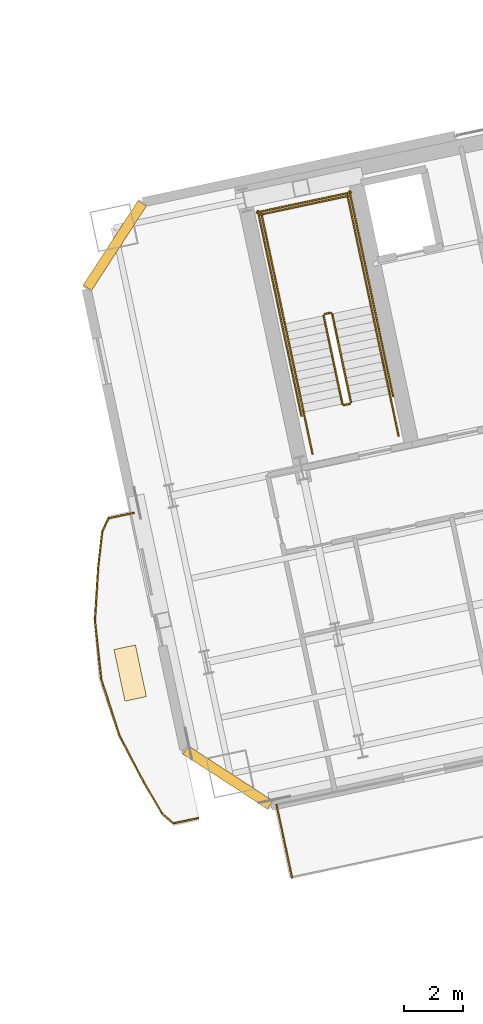
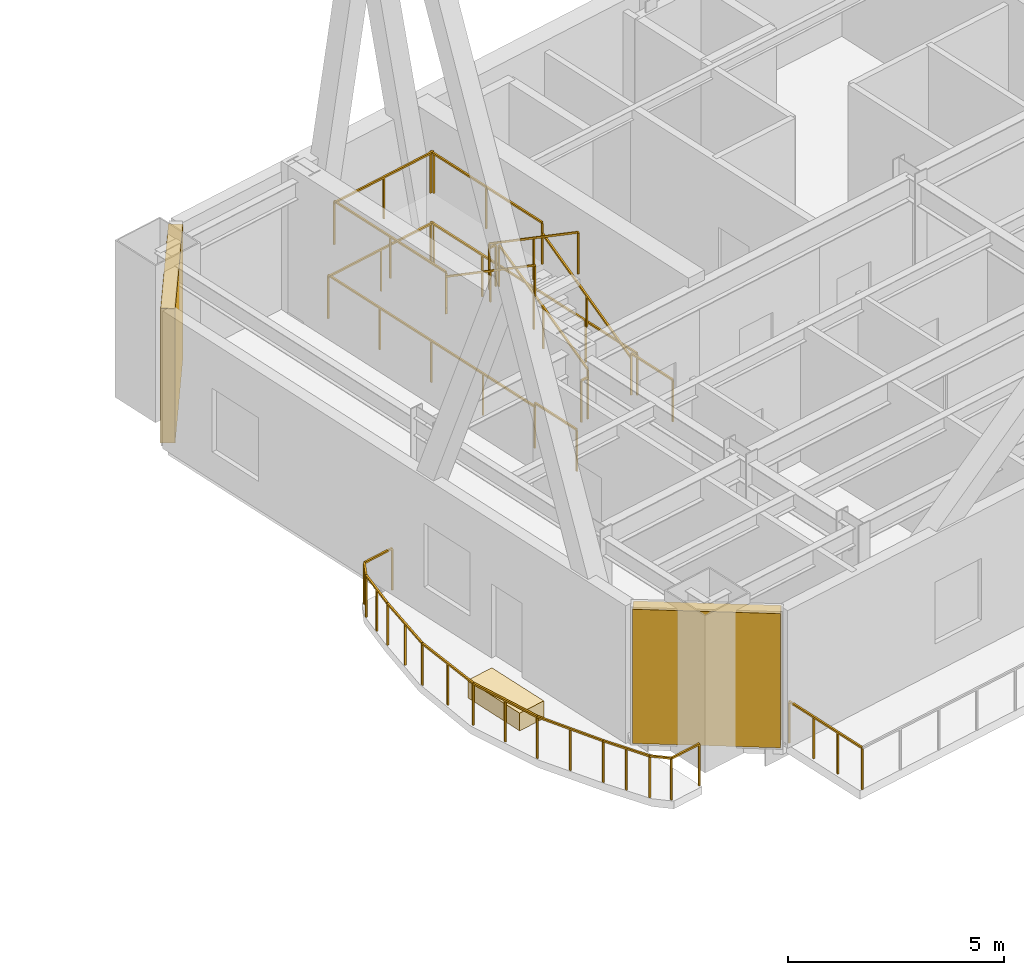
# One storey, part 20 of 22: 25 railings, 2 shading devices, 1 covering.
"""IFC4 building model written with IfcOpenShell, lengths in metres."""

import ifcopenshell
import ifcopenshell.guid

model = None  # the IFC model being written
_history = None  # IfcOwnerHistory: only IFC2X3 demands one
_inside = {}  # id of a spatial element -> (the spatial element, [elements in it])
_under = {}  # id of a project, library or spatial element -> (it, [spatial elements below it])
_declared = {}  # id of a project -> (the project, [libraries it declares])
_typed = {}  # id of a type object -> (the type object, [elements of that type])
_made_of = {}  # id of a material, layer set ... -> (it, [elements and type objects made of it])


def new_model(schema):
    """Start an empty IFC model of exactly this schema.

    Asked for "IFC4X3", IfcOpenShell would pick the latest addendum, in which some entities
    have other attributes; the version numbers below select the first issue.
    IFC2X3 requires an IfcOwnerHistory on every rooted entity: one is made here for all.
    """
    global model, _history
    if schema == "IFC4X3":
        model = ifcopenshell.file(schema_version=(4, 3, 0, 0))
    else:
        model = ifcopenshell.file(schema=schema)
    _inside.clear()
    _under.clear()
    _declared.clear()
    _typed.clear()
    _made_of.clear()
    _history = None
    if model.schema == "IFC2X3":
        org = make("IfcOrganization", Name="unknown")
        user = make(
            "IfcPersonAndOrganization",
            ThePerson=make("IfcPerson", FamilyName="unknown"),
            TheOrganization=org,
        )
        app = make(
            "IfcApplication",
            ApplicationDeveloper=org,
            Version="unknown",
            ApplicationFullName="unknown",
            ApplicationIdentifier="unknown",
        )
        _history = make(
            "IfcOwnerHistory",
            OwningUser=user,
            OwningApplication=app,
            ChangeAction="ADDED",
            CreationDate=0,
        )
    return model


def make(cls, **values):
    """One entity of the class cls with the attributes given. An attribute that is None is left unset."""
    return model.create_entity(
        cls, **{name: value for name, value in values.items() if value is not None}
    )


def rooted(cls, **values):
    """An entity with a GlobalId (a new one), such as an element, a storey or a relation."""
    return make(cls, GlobalId=ifcopenshell.guid.new(), OwnerHistory=_history, **values)


def si_unit(unit_type, name, prefix=None):
    """IfcSIUnit, for example si_unit("LENGTHUNIT", "METRE", prefix="MILLI")."""
    return make("IfcSIUnit", UnitType=unit_type, Prefix=prefix, Name=name)


def assignment(units):
    """IfcUnitAssignment: the units of a project."""
    return None if units is None else make("IfcUnitAssignment", Units=units)


def point(xyz):
    """IfcCartesianPoint."""
    return None if xyz is None else make("IfcCartesianPoint", Coordinates=xyz)


def direction(xyz):
    """IfcDirection."""
    return None if xyz is None else make("IfcDirection", DirectionRatios=xyz)


def frame(location, z_axis=None, x_axis=None):
    """IfcAxis2Placement3D, a coordinate frame: its origin and axes. An axis left out is left unset."""
    return make(
        "IfcAxis2Placement3D",
        Location=point(location),
        Axis=direction(z_axis),
        RefDirection=direction(x_axis),
    )


def frame_2d(location, x_axis=None):
    """IfcAxis2Placement2D, a coordinate frame in the plane: its origin and x axis."""
    return make(
        "IfcAxis2Placement2D", Location=point(location), RefDirection=direction(x_axis)
    )


def origin():
    """The frame at (0, 0, 0) with its axes left unset."""
    return frame((0.0, 0.0, 0.0))


def origin_2d():
    """The frame at (0, 0) in the plane with its x axis left unset."""
    return frame_2d((0.0, 0.0))


def place(relative_to, where):
    """IfcLocalPlacement: puts the frame where relative to a parent placement (None: the world)."""
    return make(
        "IfcLocalPlacement", PlacementRelTo=relative_to, RelativePlacement=where
    )


def context(
    kind, dimensions, precision=None, world=None, true_north=None, identifier=None
):
    """IfcGeometricRepresentationContext, for example the 3D "Model" context."""
    return make(
        "IfcGeometricRepresentationContext",
        ContextIdentifier=identifier,
        ContextType=kind,
        CoordinateSpaceDimension=dimensions,
        Precision=precision,
        WorldCoordinateSystem=world,
        TrueNorth=true_north,
    )


def subcontext(parent, identifier, kind, view, scale=None):
    """IfcGeometricRepresentationSubContext, for example "Body" below "Model"."""
    return make(
        "IfcGeometricRepresentationSubContext",
        ContextIdentifier=identifier,
        ContextType=kind,
        ParentContext=parent,
        TargetScale=scale,
        TargetView=view,
    )


def project(units=None, contexts=None):
    """IfcProject with its units and contexts."""
    return rooted(
        "IfcProject",
        Name="project",
        RepresentationContexts=contexts,
        UnitsInContext=assignment(units),
    )


def spatial(cls, under=None, at=None, **own):
    """A site, building, storey or space (cls), placed at a placement, below another one or the project."""
    s = rooted(cls, ObjectPlacement=at, **own)
    if under is not None:
        _under.setdefault(under.id(), (under, []))[1].append(s)
    return s


def profile(cls, at=None, kind="AREA", **sizes):
    """A parametric profile (cls). Its sizes go by their IFC names, for example OverallWidth=200.0."""
    return make(cls, ProfileType=kind, Position=at, **sizes)


def rectangle(**sizes):
    """IfcRectangleProfileDef."""
    return profile("IfcRectangleProfileDef", **sizes)


def extrude(swept, where, along, depth):
    """IfcExtrudedAreaSolid: the profile swept, set in the frame where, extruded along a direction by depth."""
    return make(
        "IfcExtrudedAreaSolid",
        SweptArea=swept,
        Position=where,
        ExtrudedDirection=direction(along),
        Depth=depth,
    )


def shape(context_of_items, identifier, shape_type, items):
    """IfcShapeRepresentation: the items that make up one representation, for example the "Body"."""
    return make(
        "IfcShapeRepresentation",
        ContextOfItems=context_of_items,
        RepresentationIdentifier=identifier,
        RepresentationType=shape_type,
        Items=items,
    )


def material(Name=None, Category=None):
    """IfcMaterial."""
    return make("IfcMaterial", Name=Name, Category=Category)


def layer(
    of_material, thickness, ventilated=None, Name=None, Category=None, Priority=None
):
    """IfcMaterialLayer: one layer of a wall or slab, of a material (None: an air gap)."""
    return make(
        "IfcMaterialLayer",
        Material=of_material,
        LayerThickness=thickness,
        IsVentilated=ventilated,
        Name=Name,
        Category=Category,
        Priority=Priority,
    )


def layer_set(layers, Name=None):
    """IfcMaterialLayerSet."""
    return make("IfcMaterialLayerSet", MaterialLayers=layers, LayerSetName=Name)


def made_of(thing, what):
    """Note that an element or type object is made of a material, layer set ...; save() writes the relation."""
    if what is not None:
        _made_of.setdefault(what.id(), (what, []))[1].append(thing)
    return thing


def type_object(cls, material=None, **own):
    """A type object (cls), such as IfcWallType, which elements share."""
    return made_of(rooted(cls, **own), material)


def element(
    cls,
    number,
    at=None,
    inside=None,
    cuts=None,
    type_object=None,
    material=None,
    context=None,
    identifier="Body",
    shape_type=None,
    held_by="IfcProductDefinitionShape",
    body=None,
    shapes=None,
    **own,
):
    """One element of the class cls, such as IfcWall. Its Tag is "e" and its number.

    at: its placement. inside: the storey or other place that contains it. cuts: it is an
    opening in that element (IfcRelVoidsElement). A single representation is given by context,
    identifier, shape_type and body (its items); several are given by shapes. held_by: the class
    of the entity that holds the representations. save() writes the other relations.
    """
    e = rooted(cls, Tag="e%d" % number, ObjectPlacement=at, **own)
    if body is not None:
        shapes = [shape(context, identifier, shape_type, body)]
    if shapes is not None:
        e.Representation = make(held_by, Representations=shapes)
    if inside is not None:
        _inside.setdefault(inside.id(), (inside, []))[1].append(e)
    if cuts is not None:
        rooted(
            "IfcRelVoidsElement", RelatingBuildingElement=cuts, RelatedOpeningElement=e
        )
    if type_object is not None:
        _typed.setdefault(type_object.id(), (type_object, []))[1].append(e)
    return made_of(e, material)


def aggregate(whole, parts):
    """IfcRelAggregates: a whole, such as a stair, and the parts it consists of."""
    return rooted("IfcRelAggregates", RelatingObject=whole, RelatedObjects=parts)


def save(model, path):
    """Write the relations noted so far, then the file.

    IfcRelAggregates (storeys below a building ...), IfcRelContainedInSpatialStructure (elements
    in a storey), IfcRelDefinesByType, IfcRelAssociatesMaterial and IfcRelDeclares: one each for
    every whole, place, type object, material and project.
    """
    for whole, parts in _under.values():
        aggregate(whole, parts)
    for where, things in _inside.values():
        rooted(
            "IfcRelContainedInSpatialStructure",
            RelatedElements=things,
            RelatingStructure=where,
        )
    for kind, things in _typed.values():
        rooted("IfcRelDefinesByType", RelatedObjects=things, RelatingType=kind)
    for what, things in _made_of.values():
        rooted("IfcRelAssociatesMaterial", RelatedObjects=things, RelatingMaterial=what)
    for by, libraries in _declared.values():
        rooted("IfcRelDeclares", RelatingContext=by, RelatedDefinitions=libraries)
    model.write(path)


model = new_model("IFC4")

# Units and contexts
model_context = context("Model", 3, precision=1e-05, world=origin(), true_north=direction((0.0, 1.0)))
body_context = subcontext(model_context, "Body", "Model", "MODEL_VIEW")
ifc_project = project(units=[si_unit("LENGTHUNIT", "METRE"), si_unit("AREAUNIT", "SQUARE_METRE"), si_unit("VOLUMEUNIT", "CUBIC_METRE"), si_unit("PLANEANGLEUNIT", "RADIAN"), si_unit("MASSUNIT", "GRAM", prefix="KILO")], contexts=[model_context])

# Site, building, storey
site_placement = place(None, origin())
site = spatial("IfcSite", under=ifc_project, at=site_placement, CompositionType="ELEMENT")
building_placement = place(site_placement, origin())
building = spatial("IfcBuilding", under=site, at=building_placement, Name="Haevon Station Towers", CompositionType="ELEMENT")
storey_placement = place(building_placement, frame((0.0, 0.0, 133.800048828125)))
storey = spatial("IfcBuildingStorey", under=building, at=storey_placement, Name="L36", CompositionType="ELEMENT", Elevation=133.800048828125)

# Railings
ifc_material_1 = material(Name="Steel S355", Category="steel")
railing_type_1 = type_object("IfcRailingType", Name="GRD-EXT1200", PredefinedType="GUARDRAIL", material=ifc_material_1)
railing_1_placement = place(storey_placement, frame((97.90234375, 25.9521484375, 0.0)))
element("IfcRailing", 1, at=railing_1_placement, inside=storey, type_object=railing_type_1, Name="L36 Perimeter Guardrail 3", PredefinedType="GUARDRAIL", context=body_context, shape_type="SweptSolid", body=[
    extrude(rectangle(XDim=0.048095703125, YDim=0.048095703125, at=origin_2d()), frame((0.0, 0.0, 1.17578125), z_axis=(0.207940691957, -0.978141435902, 0.0), x_axis=(0.978141435902, 0.207940691957, 0.0)), (0.0, 0.0, 1.0), 2.5302734375),
    extrude(rectangle(XDim=0.0419921875, YDim=0.0419921875, at=origin_2d()), origin(), (0.0, 0.0, 1.0), 1.15185546875),
    extrude(rectangle(XDim=0.0419921875, YDim=0.0419921875, at=origin_2d()), frame((0.17529296875, -0.824951171875, 0.0)), (0.0, 0.0, 1.0), 1.15185546875),
    extrude(rectangle(XDim=0.0419921875, YDim=0.0419921875, at=origin_2d()), frame((0.350830078125, -1.64990234375, 0.0)), (0.0, 0.0, 1.0), 1.15185546875),
    extrude(rectangle(XDim=0.0419921875, YDim=0.0419921875, at=origin_2d()), frame((0.526123046875, -2.474853515625, 0.0)), (0.0, 0.0, 1.0), 1.15185546875),
])
railing_2_placement = place(storey_placement, frame((93.021484375, 35.91455078125, 0.0)))
element("IfcRailing", 2, at=railing_2_placement, inside=storey, type_object=railing_type_1, Name="L36 Perimeter Guardrail 1", PredefinedType="GUARDRAIL", context=body_context, shape_type="SweptSolid", body=[
    extrude(rectangle(XDim=0.048095703125, YDim=0.048095703125, at=origin_2d()), frame((0.0, 0.0, 1.17578125), z_axis=(-0.977683060471, -0.210085299981, 0.0), x_axis=(0.210085299981, -0.977683060471, 0.0)), (0.0, 0.0, 1.0), 0.869140625),
    extrude(rectangle(XDim=0.0419921875, YDim=0.0419921875, at=origin_2d()), origin(), (0.0, 0.0, 1.0), 1.15185546875),
    extrude(rectangle(XDim=0.0419921875, YDim=0.0419921875, at=origin_2d()), frame((-0.849853515625, -0.1826171875, 0.0)), (0.0, 0.0, 1.0), 1.15185546875),
])
railing_3_placement = place(storey_placement, frame((92.171630859375, 35.73193359375, 0.0)))
element("IfcRailing", 3, at=railing_3_placement, inside=storey, type_object=railing_type_1, Name="L36 Perimeter Guardrail 2", PredefinedType="GUARDRAIL", context=body_context, shape_type="SweptSolid", body=[
    extrude(rectangle(XDim=0.048095703125, YDim=0.048095703125, at=origin_2d()), frame((0.0, 0.0, 1.17578125), z_axis=(-0.424336804867, -0.905504431814, 0.0), x_axis=(0.905504431814, -0.424336804867, 0.0)), (0.0, 0.0, 1.0), 0.515625),
    extrude(rectangle(XDim=0.0419921875, YDim=0.0419921875, at=origin_2d()), origin(), (0.0, 0.0, 1.0), 1.15185546875),
    extrude(rectangle(XDim=0.0419921875, YDim=0.0419921875, at=origin_2d()), frame((-0.21875, -0.466796875, 0.0)), (0.0, 0.0, 1.0), 1.15185546875),
])
railing_4_placement = place(storey_placement, frame((91.952880859375, 35.26513671875, 0.0)))
element("IfcRailing", 4, at=railing_4_placement, inside=storey, type_object=railing_type_1, Name="L36 Perimeter Guardrail 3", PredefinedType="GUARDRAIL", context=body_context, shape_type="SweptSolid", body=[
    extrude(rectangle(XDim=0.048095703125, YDim=0.048095703125, at=origin_2d()), frame((0.0, 0.0, 1.17578125), z_axis=(-0.111061630517, -0.993813520851, 0.0), x_axis=(0.993813520851, -0.111061630517, 0.0)), (0.0, 0.0, 1.0), 1.233154296875),
    extrude(rectangle(XDim=0.0419921875, YDim=0.0419921875, at=origin_2d()), origin(), (0.0, 0.0, 1.0), 1.15185546875),
    extrude(rectangle(XDim=0.0419921875, YDim=0.0419921875, at=origin_2d()), frame((-0.068359375, -0.61279296875, 0.0)), (0.0, 0.0, 1.0), 1.15185546875),
    extrude(rectangle(XDim=0.0419921875, YDim=0.0419921875, at=origin_2d()), frame((-0.136962890625, -1.2255859375, 0.0)), (0.0, 0.0, 1.0), 1.15185546875),
])
railing_5_placement = place(storey_placement, frame((91.81591796875, 34.03955078125, 0.0)))
element("IfcRailing", 5, at=railing_5_placement, inside=storey, type_object=railing_type_1, Name="L36 Perimeter Guardrail 4", PredefinedType="GUARDRAIL", context=body_context, shape_type="SweptSolid", body=[
    extrude(rectangle(XDim=0.048095703125, YDim=0.048095703125, at=origin_2d()), frame((0.0, 0.0, 1.17578125), z_axis=(-0.060230624472, -0.998184487896, 0.0), x_axis=(0.998184487896, -0.060230624472, 0.0)), (0.0, 0.0, 1.0), 1.811767578125),
    extrude(rectangle(XDim=0.0419921875, YDim=0.0419921875, at=origin_2d()), origin(), (0.0, 0.0, 1.0), 1.15185546875),
    extrude(rectangle(XDim=0.0419921875, YDim=0.0419921875, at=origin_2d()), frame((-0.0546875, -0.904296875, 0.0)), (0.0, 0.0, 1.0), 1.15185546875),
    extrude(rectangle(XDim=0.0419921875, YDim=0.0419921875, at=origin_2d()), frame((-0.109130859375, -1.80859375, 0.0)), (0.0, 0.0, 1.0), 1.15185546875),
])
railing_6_placement = place(storey_placement, frame((91.706787109375, 32.23095703125, 0.0)))
element("IfcRailing", 6, at=railing_6_placement, inside=storey, type_object=railing_type_1, Name="L36 Perimeter Guardrail 5", PredefinedType="GUARDRAIL", context=body_context, shape_type="SweptSolid", body=[
    extrude(rectangle(XDim=0.048095703125, YDim=0.048095703125, at=origin_2d()), frame((0.0, 0.0, 1.17578125), z_axis=(0.107406933296, -0.994215143055, 0.0), x_axis=(0.994215143055, 0.107406933296, 0.0)), (0.0, 0.0, 1.0), 2.00244140625),
    extrude(rectangle(XDim=0.0419921875, YDim=0.0419921875, at=origin_2d()), origin(), (0.0, 0.0, 1.0), 1.15185546875),
    extrude(rectangle(XDim=0.0419921875, YDim=0.0419921875, at=origin_2d()), frame((0.107421875, -0.99560546875, 0.0)), (0.0, 0.0, 1.0), 1.15185546875),
    extrude(rectangle(XDim=0.0419921875, YDim=0.0419921875, at=origin_2d()), frame((0.215087890625, -1.990966796875, 0.0)), (0.0, 0.0, 1.0), 1.15185546875),
])
railing_7_placement = place(storey_placement, frame((91.921875, 30.239990234375, 0.0)))
element("IfcRailing", 7, at=railing_7_placement, inside=storey, type_object=railing_type_1, Name="L36 Perimeter Guardrail 6", PredefinedType="GUARDRAIL", context=body_context, shape_type="SweptSolid", body=[
    extrude(rectangle(XDim=0.048095703125, YDim=0.048095703125, at=origin_2d()), frame((0.0, 0.0, 1.17578125), z_axis=(0.30622620624, -0.951958775689, 0.0), x_axis=(0.951958775689, 0.30622620624, 0.0)), (0.0, 0.0, 1.0), 2.002685546875),
    extrude(rectangle(XDim=0.0419921875, YDim=0.0419921875, at=origin_2d()), origin(), (0.0, 0.0, 1.0), 1.15185546875),
    extrude(rectangle(XDim=0.0419921875, YDim=0.0419921875, at=origin_2d()), frame((0.306640625, -0.953125, 0.0)), (0.0, 0.0, 1.0), 1.15185546875),
    extrude(rectangle(XDim=0.0419921875, YDim=0.0419921875, at=origin_2d()), frame((0.61328125, -1.906494140625, 0.0)), (0.0, 0.0, 1.0), 1.15185546875),
])
railing_8_placement = place(storey_placement, frame((92.53515625, 28.33349609375, 0.0)))
element("IfcRailing", 8, at=railing_8_placement, inside=storey, type_object=railing_type_1, Name="L36 Perimeter Guardrail 7", PredefinedType="GUARDRAIL", context=body_context, shape_type="SweptSolid", body=[
    extrude(rectangle(XDim=0.048095703125, YDim=0.048095703125, at=origin_2d()), frame((0.0, 0.0, 1.17578125), z_axis=(0.461064236147, -0.887366761912, 0.0), x_axis=(0.887366761912, 0.461064236147, 0.0)), (0.0, 0.0, 1.0), 1.81201171875),
    extrude(rectangle(XDim=0.0419921875, YDim=0.0419921875, at=origin_2d()), origin(), (0.0, 0.0, 1.0), 1.15185546875),
    extrude(rectangle(XDim=0.0419921875, YDim=0.0419921875, at=origin_2d()), frame((0.417724609375, -0.803955078125, 0.0)), (0.0, 0.0, 1.0), 1.15185546875),
    extrude(rectangle(XDim=0.0419921875, YDim=0.0419921875, at=origin_2d()), frame((0.83544921875, -1.60791015625, 0.0)), (0.0, 0.0, 1.0), 1.15185546875),
])
railing_9_placement = place(storey_placement, frame((93.37060546875, 26.7255859375, 0.0)))
element("IfcRailing", 9, at=railing_9_placement, inside=storey, type_object=railing_type_1, Name="L36 Perimeter Guardrail 8", PredefinedType="GUARDRAIL", context=body_context, shape_type="SweptSolid", body=[
    extrude(rectangle(XDim=0.048095703125, YDim=0.048095703125, at=origin_2d()), frame((0.0, 0.0, 1.17578125), z_axis=(0.505617882781, -0.862757530603, 0.0), x_axis=(0.862757530603, 0.505617882781, 0.0)), (0.0, 0.0, 1.0), 1.233154296875),
    extrude(rectangle(XDim=0.0419921875, YDim=0.0419921875, at=origin_2d()), origin(), (0.0, 0.0, 1.0), 1.15185546875),
    extrude(rectangle(XDim=0.0419921875, YDim=0.0419921875, at=origin_2d()), frame((0.311767578125, -0.531982421875, 0.0)), (0.0, 0.0, 1.0), 1.15185546875),
    extrude(rectangle(XDim=0.0419921875, YDim=0.0419921875, at=origin_2d()), frame((0.62353515625, -1.06396484375, 0.0)), (0.0, 0.0, 1.0), 1.15185546875),
])
railing_10_placement = place(storey_placement, frame((93.994140625, 25.66162109375, 0.0)))
element("IfcRailing", 10, at=railing_10_placement, inside=storey, type_object=railing_type_1, Name="L36 Perimeter Guardrail 9", PredefinedType="GUARDRAIL", context=body_context, shape_type="SweptSolid", body=[
    extrude(rectangle(XDim=0.048095703125, YDim=0.048095703125, at=origin_2d()), frame((0.0, 0.0, 1.17578125), z_axis=(0.755970327176, -0.654605884811, 0.0), x_axis=(0.654605884811, 0.755970327176, 0.0)), (0.0, 0.0, 1.0), 0.515380859375),
    extrude(rectangle(XDim=0.0419921875, YDim=0.0419921875, at=origin_2d()), origin(), (0.0, 0.0, 1.0), 1.15185546875),
    extrude(rectangle(XDim=0.0419921875, YDim=0.0419921875, at=origin_2d()), frame((0.3896484375, -0.33740234375, 0.0)), (0.0, 0.0, 1.0), 1.15185546875),
])
railing_11_placement = place(storey_placement, frame((94.3837890625, 25.32421875, 0.0)))
element("IfcRailing", 11, at=railing_11_placement, inside=storey, type_object=railing_type_1, Name="L36 Perimeter Guardrail 10", PredefinedType="GUARDRAIL", context=body_context, shape_type="SweptSolid", body=[
    extrude(rectangle(XDim=0.048095703125, YDim=0.048095703125, at=origin_2d()), frame((0.0, 0.0, 1.17578125), z_axis=(0.978645023674, 0.205557577426, 0.0), x_axis=(-0.205557577426, 0.978645023674, 0.0)), (0.0, 0.0, 1.0), 0.869384765625),
    extrude(rectangle(XDim=0.0419921875, YDim=0.0419921875, at=origin_2d()), origin(), (0.0, 0.0, 1.0), 1.15185546875),
    extrude(rectangle(XDim=0.0419921875, YDim=0.0419921875, at=origin_2d()), frame((0.850830078125, 0.1787109375, 0.0)), (0.0, 0.0, 1.0), 1.15185546875),
])
railing_type_2 = type_object("IfcRailingType", Name="GRD-STR1200", PredefinedType="GUARDRAIL", material=ifc_material_1)
railing_12_placement = place(storey_placement, frame((100.44140625, 39.69287109375, 0.175048828125)))
element("IfcRailing", 12, at=railing_12_placement, inside=storey, type_object=railing_type_2, Name="L36 ST3 Stair Guard 1", PredefinedType="GUARDRAIL", context=body_context, shape_type="SweptSolid", body=[
    extrude(rectangle(XDim=0.048095703125, YDim=0.048095703125, at=origin_2d()), frame((0.0, 0.0, 1.17578125), z_axis=(-0.176317186199, 0.829490689172, 0.5299598536), x_axis=(-0.978146762005, -0.207915636689, 0.0)), (0.0, 0.0, 1.0), 3.632080078125),
    extrude(rectangle(XDim=0.0419921875, YDim=0.0419921875, at=origin_2d()), origin(), (0.0, 0.0, 1.0), 1.15185546875),
    extrude(rectangle(XDim=0.0419921875, YDim=0.0419921875, at=origin_2d()), frame((-0.3203125, 1.50634765625, 0.96240234375)), (0.0, 0.0, 1.0), 1.15185546875),
    extrude(rectangle(XDim=0.0419921875, YDim=0.0419921875, at=origin_2d()), frame((-0.640380859375, 3.0126953125, 1.9248046875)), (0.0, 0.0, 1.0), 1.15185546875),
])
railing_13_placement = place(storey_placement, frame((99.74169921875, 42.743896484375, 2.099853515625)))
element("IfcRailing", 13, at=railing_13_placement, inside=storey, type_object=railing_type_2, Name="L36 ST3 Stair Guard 2", PredefinedType="GUARDRAIL", context=body_context, shape_type="SweptSolid", body=[
    extrude(rectangle(XDim=0.048095703125, YDim=0.048095703125, at=origin_2d()), frame((0.0, 0.0, 1.17578125), z_axis=(-0.978211583308, -0.207610448392, 0.0), x_axis=(0.207610448392, -0.978211583308, 0.0)), (0.0, 0.0, 1.0), 0.199951171875),
    extrude(rectangle(XDim=0.0419921875, YDim=0.0419921875, at=origin_2d()), origin(), (0.0, 0.0, 1.0), 1.15185546875),
    extrude(rectangle(XDim=0.0419921875, YDim=0.0419921875, at=origin_2d()), frame((-0.195556640625, -0.04150390625, 0.0)), (0.0, 0.0, 1.0), 1.15185546875),
])
railing_14_placement = place(storey_placement, frame((101.12158203125, 42.986083984375, 2.099853515625)))
element("IfcRailing", 14, at=railing_14_placement, inside=storey, type_object=railing_type_2, Name="L36 ST3 Stair Guard 3", PredefinedType="GUARDRAIL", context=body_context, shape_type="SweptSolid", body=[
    extrude(rectangle(XDim=0.048095703125, YDim=0.048095703125, at=origin_2d()), frame((0.0, 0.0, 1.17578125), z_axis=(-0.207930432828, 0.978143616809, 0.0), x_axis=(-0.978143616809, -0.207930432828, 0.0)), (0.0, 0.0, 1.0), 3.869873046875),
    extrude(rectangle(XDim=0.0419921875, YDim=0.0419921875, at=origin_2d()), origin(), (0.0, 0.0, 1.0), 1.15185546875),
    extrude(rectangle(XDim=0.0419921875, YDim=0.0419921875, at=origin_2d()), frame((-0.40234375, 1.892578125, 0.0)), (0.0, 0.0, 1.0), 1.15185546875),
    extrude(rectangle(XDim=0.0419921875, YDim=0.0419921875, at=origin_2d()), frame((-0.8046875, 3.785400390625, 0.0)), (0.0, 0.0, 1.0), 1.15185546875),
])
railing_15_placement = place(storey_placement, frame((98.18701171875, 42.3623046875, 2.099853515625)))
element("IfcRailing", 15, at=railing_15_placement, inside=storey, type_object=railing_type_2, Name="L36 ST3 Stair Guard 4", PredefinedType="GUARDRAIL", context=body_context, shape_type="SweptSolid", body=[
    extrude(rectangle(XDim=0.048095703125, YDim=0.048095703125, at=origin_2d()), frame((0.0, 0.0, 1.17578125), z_axis=(-0.207857246892, 0.978159171564, 0.0), x_axis=(-0.978159171564, -0.207857246892, 0.0)), (0.0, 0.0, 1.0), 3.8701171875),
    extrude(rectangle(XDim=0.0419921875, YDim=0.0419921875, at=origin_2d()), origin(), (0.0, 0.0, 1.0), 1.15185546875),
    extrude(rectangle(XDim=0.0419921875, YDim=0.0419921875, at=origin_2d()), frame((-0.40234375, 1.892822265625, 0.0)), (0.0, 0.0, 1.0), 1.15185546875),
    extrude(rectangle(XDim=0.0419921875, YDim=0.0419921875, at=origin_2d()), frame((-0.804443359375, 3.78564453125, 0.0)), (0.0, 0.0, 1.0), 1.15185546875),
])
railing_16_placement = place(storey_placement, frame((100.376220703125, 46.733154296875, 2.099853515625)))
element("IfcRailing", 16, at=railing_16_placement, inside=storey, type_object=railing_type_2, Name="L36 ST3 Stair Guard 5", PredefinedType="GUARDRAIL", context=body_context, shape_type="SweptSolid", body=[
    extrude(rectangle(XDim=0.048095703125, YDim=0.048095703125, at=origin_2d()), frame((0.0, 0.0, 1.17578125), z_axis=(-0.978146839882, -0.207915270313, 0.0), x_axis=(0.207915270313, -0.978146839882, 0.0)), (0.0, 0.0, 1.0), 3.099853515625),
    extrude(rectangle(XDim=0.0419921875, YDim=0.0419921875, at=origin_2d()), origin(), (0.0, 0.0, 1.0), 1.15185546875),
    extrude(rectangle(XDim=0.0419921875, YDim=0.0419921875, at=origin_2d()), frame((-1.51611328125, -0.322265625, 0.0)), (0.0, 0.0, 1.0), 1.15185546875),
    extrude(rectangle(XDim=0.0419921875, YDim=0.0419921875, at=origin_2d()), frame((-3.0322265625, -0.64453125, 0.0)), (0.0, 0.0, 1.0), 1.15185546875),
])
railing_17_placement = place(storey_placement, frame((99.507568359375, 42.64306640625, 2.27490234375)))
element("IfcRailing", 17, at=railing_17_placement, inside=storey, type_object=railing_type_2, Name="L36 ST3 Stair Guard 6", PredefinedType="GUARDRAIL", context=body_context, shape_type="SweptSolid", body=[
    extrude(rectangle(XDim=0.048095703125, YDim=0.048095703125, at=origin_2d()), frame((0.0, 0.0, 1.17578125), z_axis=(0.176310905062, -0.829461139329, 0.53000819154), x_axis=(0.978146762005, 0.207915636689, 0.0)), (0.0, 0.0, 1.0), 3.632080078125),
    extrude(rectangle(XDim=0.0419921875, YDim=0.0419921875, at=origin_2d()), origin(), (0.0, 0.0, 1.0), 1.15185546875),
    extrude(rectangle(XDim=0.0419921875, YDim=0.0419921875, at=origin_2d()), frame((0.3203125, -1.50634765625, 0.96240234375)), (0.0, 0.0, 1.0), 1.15185546875),
    extrude(rectangle(XDim=0.0419921875, YDim=0.0419921875, at=origin_2d()), frame((0.640380859375, -3.0126953125, 1.925048828125)), (0.0, 0.0, 1.0), 1.15185546875),
])
railing_18_placement = place(storey_placement, frame((100.40283203125, 39.633544921875, 0.0)))
element("IfcRailing", 18, at=railing_18_placement, inside=storey, type_object=railing_type_2, Name="L36 ST3 Stair Guard 7", PredefinedType="GUARDRAIL", context=body_context, shape_type="SweptSolid", body=[
    extrude(rectangle(XDim=0.048095703125, YDim=0.048095703125, at=origin_2d()), frame((0.0, 0.0, 1.17578125), z_axis=(-0.977962931203, -0.208778603291, 0.0), x_axis=(0.208778603291, -0.977962931203, 0.0)), (0.0, 0.0, 1.0), 0.199951171875),
    extrude(rectangle(XDim=0.0419921875, YDim=0.0419921875, at=origin_2d()), origin(), (0.0, 0.0, 1.0), 1.15185546875),
    extrude(rectangle(XDim=0.0419921875, YDim=0.0419921875, at=origin_2d()), frame((-0.195556640625, -0.041748046875, 0.0)), (0.0, 0.0, 1.0), 1.15185546875),
])
for number, where, name in (
    (19, (102.0634765625, 38.55517578125, 0.0), "L36 ST3 Stair Guard 8"),
    (20, (99.12890625, 37.931396484375, 0.0), "L36 ST3 Stair Guard 9"),
):
    element("IfcRailing", number, at=place(storey_placement, frame(where)), inside=storey, type_object=railing_type_2, Name=name, PredefinedType="GUARDRAIL", context=body_context, shape_type="SweptSolid", body=[
        extrude(rectangle(XDim=0.048095703125, YDim=0.048095703125, at=origin_2d()), frame((0.0, 0.0, 1.17578125), z_axis=(-0.207953405961, 0.978138732977, 0.0), x_axis=(-0.978138732977, -0.207953405961, 0.0)), (0.0, 0.0, 1.0), 1.449951171875),
        extrude(rectangle(XDim=0.0419921875, YDim=0.0419921875, at=origin_2d()), origin(), (0.0, 0.0, 1.0), 1.15185546875),
        extrude(rectangle(XDim=0.0419921875, YDim=0.0419921875, at=origin_2d()), frame((-0.301513671875, 1.418212890625, 0.0)), (0.0, 0.0, 1.0), 1.15185546875),
    ])
railing_19_placement = place(storey_placement, frame((101.88037109375, 39.896484375, 0.0)))
element("IfcRailing", 21, at=railing_19_placement, inside=storey, type_object=railing_type_2, Name="L36 ST3 Stair Guard 10", PredefinedType="GUARDRAIL", context=body_context, shape_type="SweptSolid", body=[
    extrude(rectangle(XDim=0.048095703125, YDim=0.048095703125, at=origin_2d()), frame((0.0, 0.0, 1.17578125), z_axis=(-0.207882442208, 0.978153817261, 0.0), x_axis=(-0.978153817261, -0.207882442208, 0.0)), (0.0, 0.0, 1.0), 7.14990234375),
    extrude(rectangle(XDim=0.0419921875, YDim=0.0419921875, at=origin_2d()), origin(), (0.0, 0.0, 1.0), 1.15185546875),
    extrude(rectangle(XDim=0.0419921875, YDim=0.0419921875, at=origin_2d()), frame((-0.37158203125, 1.74853515625, 0.0)), (0.0, 0.0, 1.0), 1.15185546875),
    extrude(rectangle(XDim=0.0419921875, YDim=0.0419921875, at=origin_2d()), frame((-0.7431640625, 3.496826171875, 0.0)), (0.0, 0.0, 1.0), 1.15185546875),
    extrude(rectangle(XDim=0.0419921875, YDim=0.0419921875, at=origin_2d()), frame((-1.11474609375, 5.2451171875, 0.0)), (0.0, 0.0, 1.0), 1.15185546875),
    extrude(rectangle(XDim=0.0419921875, YDim=0.0419921875, at=origin_2d()), frame((-1.486328125, 6.99365234375, 0.0)), (0.0, 0.0, 1.0), 1.15185546875),
])
railing_20_placement = place(storey_placement, frame((98.75048828125, 39.231201171875, 0.0)))
element("IfcRailing", 22, at=railing_20_placement, inside=storey, type_object=railing_type_2, Name="L36 ST3 Stair Guard 11", PredefinedType="GUARDRAIL", context=body_context, shape_type="SweptSolid", body=[
    extrude(rectangle(XDim=0.048095703125, YDim=0.048095703125, at=origin_2d()), frame((0.0, 0.0, 1.17578125), z_axis=(-0.207915112487, 0.978146873429, 0.0), x_axis=(-0.978146873429, -0.207915112487, 0.0)), (0.0, 0.0, 1.0), 7.14990234375),
    extrude(rectangle(XDim=0.0419921875, YDim=0.0419921875, at=origin_2d()), origin(), (0.0, 0.0, 1.0), 1.15185546875),
    extrude(rectangle(XDim=0.0419921875, YDim=0.0419921875, at=origin_2d()), frame((-0.37158203125, 1.74853515625, 0.0)), (0.0, 0.0, 1.0), 1.15185546875),
    extrude(rectangle(XDim=0.0419921875, YDim=0.0419921875, at=origin_2d()), frame((-0.7431640625, 3.496826171875, 0.0)), (0.0, 0.0, 1.0), 1.15185546875),
    extrude(rectangle(XDim=0.0419921875, YDim=0.0419921875, at=origin_2d()), frame((-1.114990234375, 5.2451171875, 0.0)), (0.0, 0.0, 1.0), 1.15185546875),
    extrude(rectangle(XDim=0.0419921875, YDim=0.0419921875, at=origin_2d()), frame((-1.486572265625, 6.99365234375, 0.0)), (0.0, 0.0, 1.0), 1.15185546875),
])
railing_21_placement = place(storey_placement, frame((100.453125, 46.8515625, 0.0)))
element("IfcRailing", 23, at=railing_21_placement, inside=storey, type_object=railing_type_2, Name="L36 ST3 Stair Guard 12", PredefinedType="GUARDRAIL", context=body_context, shape_type="SweptSolid", body=[
    extrude(rectangle(XDim=0.048095703125, YDim=0.048095703125, at=origin_2d()), frame((0.0, 0.0, 1.17578125), z_axis=(-0.978150764849, -0.207896804268, 0.0), x_axis=(0.207896804268, -0.978150764849, 0.0)), (0.0, 0.0, 1.0), 3.2998046875),
    extrude(rectangle(XDim=0.0419921875, YDim=0.0419921875, at=origin_2d()), origin(), (0.0, 0.0, 1.0), 1.15185546875),
    extrude(rectangle(XDim=0.0419921875, YDim=0.0419921875, at=origin_2d()), frame((-1.61376953125, -0.343017578125, 0.0)), (0.0, 0.0, 1.0), 1.15185546875),
    extrude(rectangle(XDim=0.0419921875, YDim=0.0419921875, at=origin_2d()), frame((-3.227783203125, -0.68603515625, 0.0)), (0.0, 0.0, 1.0), 1.15185546875),
])
railing_type_3 = type_object("IfcRailingType", Name="HND-STR900", PredefinedType="HANDRAIL", material=ifc_material_1)
railing_22_placement = place(storey_placement, frame((101.761962890625, 39.973388671875, 0.175048828125)))
element("IfcRailing", 24, at=railing_22_placement, inside=storey, type_object=railing_type_3, Name="L36 ST3 Stair Handrail 1", PredefinedType="HANDRAIL", context=body_context, shape_type="SweptSolid", body=[
    extrude(rectangle(XDim=0.048095703125, YDim=0.048095703125, at=origin_2d()), frame((0.0, 0.0, 0.8759765625), z_axis=(-0.176317186199, 0.829490689172, 0.5299598536), x_axis=(-0.978146762005, -0.207915636689, 0.0)), (0.0, 0.0, 1.0), 3.632080078125),
    extrude(rectangle(XDim=0.0419921875, YDim=0.0419921875, at=origin_2d()), origin(), (0.0, 0.0, 1.0), 0.851806640625),
    extrude(rectangle(XDim=0.0419921875, YDim=0.0419921875, at=origin_2d()), frame((-0.3203125, 1.50634765625, 0.96240234375)), (0.0, 0.0, 1.0), 0.851806640625),
    extrude(rectangle(XDim=0.0419921875, YDim=0.0419921875, at=origin_2d()), frame((-0.640380859375, 3.0126953125, 1.9248046875)), (0.0, 0.0, 1.0), 0.851806640625),
])
railing_23_placement = place(storey_placement, frame((98.18701171875, 42.3623046875, 2.27490234375)))
element("IfcRailing", 25, at=railing_23_placement, inside=storey, type_object=railing_type_3, Name="L36 ST3 Stair Handrail 2", PredefinedType="HANDRAIL", context=body_context, shape_type="SweptSolid", body=[
    extrude(rectangle(XDim=0.048095703125, YDim=0.048095703125, at=origin_2d()), frame((0.0, 0.0, 0.8759765625), z_axis=(0.176310905062, -0.829461139329, 0.53000819154), x_axis=(0.978146762005, 0.207915636689, 0.0)), (0.0, 0.0, 1.0), 3.632080078125),
    extrude(rectangle(XDim=0.0419921875, YDim=0.0419921875, at=origin_2d()), origin(), (0.0, 0.0, 1.0), 0.851806640625),
    extrude(rectangle(XDim=0.0419921875, YDim=0.0419921875, at=origin_2d()), frame((0.3203125, -1.50634765625, 0.96240234375)), (0.0, 0.0, 1.0), 0.851806640625),
    extrude(rectangle(XDim=0.0419921875, YDim=0.0419921875, at=origin_2d()), frame((0.640380859375, -3.0126953125, 1.925048828125)), (0.0, 0.0, 1.0), 0.851806640625),
])

# Covering
ifc_material_2 = material(Name="Architectural planter GRC", Category="concrete")
ifc_layer_1 = layer(ifc_material_2, 0.550048828125)
ifc_layer_set_1 = layer_set([ifc_layer_1], Name="Architectural planter GRC")
covering_type = type_object("IfcCoveringType", Name="PLN-GRC550", PredefinedType="MOLDING", material=ifc_layer_set_1)
covering_placement = place(storey_placement, frame((92.90966796875, 30.449951171875, 0.0), z_axis=(0.0, 0.0, 1.0), x_axis=(0.978147600734, 0.207911690818, 0.0)))
element("IfcCovering", 26, at=covering_placement, inside=storey, type_object=covering_type, Name="Tower 2 L36 Scalloped Balcony PLANTER", PredefinedType="MOLDING", context=body_context, shape_type="SweptSolid", body=[
    extrude(rectangle(XDim=0.75, YDim=1.800048828125, at=origin_2d()), origin(), (0.0, 0.0, 1.0), 0.5),
])

# Shading devices
ifc_material_3 = material(Name="Anodised aluminium 6063-T6", Category="aluminium")
ifc_layer_2 = layer(ifc_material_3, 0.139892578125)
ifc_layer_set_2 = layer_set([ifc_layer_2], Name="Anodised aluminium 6063-T6")
shading_device_type = type_object("IfcShadingDeviceType", Name="SHD-WIND-BAFFLE", PredefinedType="SHUTTER", material=ifc_layer_set_2)
for number, where, z_axis, x_axis, name in (
    (27, (96.241455078125, 26.889892578125, 0.0498046875), (0.0, 0.0, 1.0), (-0.838670519647, 0.544639109388, 0.0), "Tower 2 L36 Wind-Corner Aerofoil Baffle SWC"),
    (28, (92.384765625, 45.034423828125, 0.0498046875), (0.0, 0.0, 1.0), (0.544639109388, 0.838670519647, 0.0), "Tower 2 L36 Wind-Corner Aerofoil Baffle NWC"),
):
    element("IfcShadingDevice", number, at=place(storey_placement, frame(where, z_axis=z_axis, x_axis=x_axis)), inside=storey, type_object=shading_device_type, Name=name, PredefinedType="SHUTTER", context=body_context, shape_type="SweptSolid", body=[
        extrude(rectangle(XDim=3.435546875, YDim=0.340087890625, at=origin_2d()), origin(), (0.0, 0.0, 1.0), 3.800048828125),
    ])

save(model, "model.ifc")
